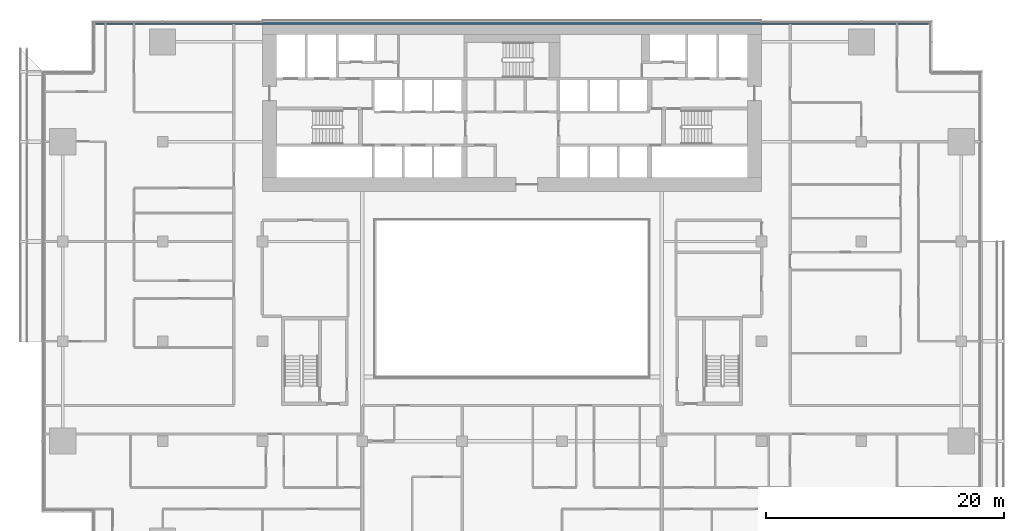
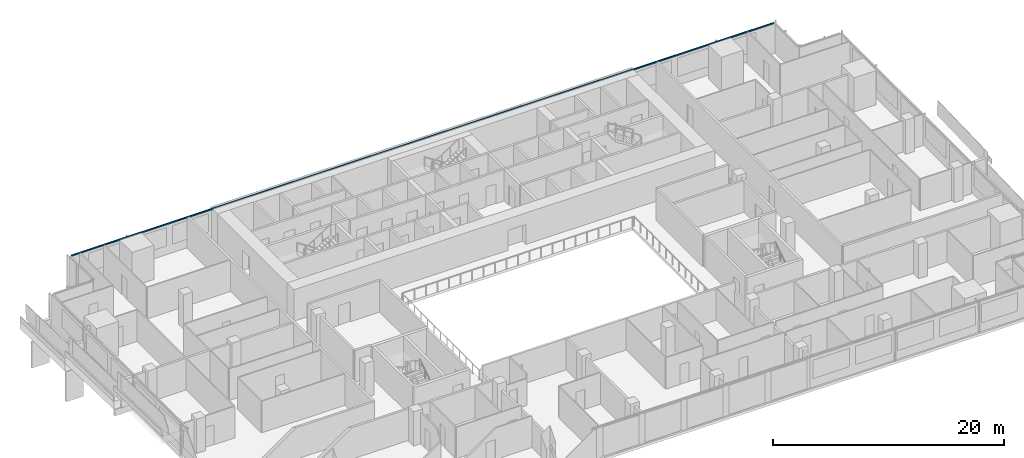
# One storey, part 8 of 25: 1 member, 1 element without a shape of its own.
"""IFC4 building model written with IfcOpenShell, lengths in metres."""

from ifc_helpers import new_model, si_unit, direction, frame, origin, origin_2d, place, context, subcontext, project, spatial, rectangle, extrude, material, material_profile, profile_set, type_object, element, aggregate, save


model = new_model("IFC4")

# Units and contexts
model_context = context("Model", 3, precision=1e-05, world=origin(), true_north=direction((0.0, 1.0)))
body_context = subcontext(model_context, "Body", "Model", "MODEL_VIEW")
ifc_project = project(units=[si_unit("LENGTHUNIT", "METRE"), si_unit("AREAUNIT", "SQUARE_METRE"), si_unit("VOLUMEUNIT", "CUBIC_METRE"), si_unit("PLANEANGLEUNIT", "RADIAN"), si_unit("MASSUNIT", "GRAM", prefix="KILO")], contexts=[model_context])

# Site, building, storey
site_placement = place(None, origin())
site = spatial("IfcSite", under=ifc_project, at=site_placement, CompositionType="ELEMENT")
building_placement = place(site_placement, origin())
building = spatial("IfcBuilding", under=site, at=building_placement, Name="Saffron Gate Tower", CompositionType="ELEMENT")
storey_placement = place(building_placement, frame((0.0, 0.0, 73.199951171875)))
storey = spatial("IfcBuildingStorey", under=building, at=storey_placement, Name="L17", CompositionType="ELEMENT", Elevation=73.199951171875)

# Curtain wall, member
ifc_material = material(Name="Aluminium, bronze anodised", Category="aluminium")
curtain_wall_type = type_object("IfcCurtainWallType", Name="CWS3 curtain wall rear facade", PredefinedType="NOTDEFINED", material=ifc_material)
curtain_wall_placement = place(storey_placement, origin())
curtain_wall = element("IfcCurtainWall", 1, at=curtain_wall_placement, inside=storey, type_object=curtain_wall_type, Name="CWS3 run 7", PredefinedType="NOTDEFINED")
ifc_material_profile = material_profile(ifc_material, rectangle(XDim=0.1201171875, YDim=0.1201171875, at=origin_2d()))
ifc_profile_set = profile_set([ifc_material_profile], Name="Aluminium, bronze anodised")
member_type = type_object("IfcMemberType", Name="CWS3 head transom", PredefinedType="USERDEFINED", material=ifc_profile_set)
member_placement = place(storey_placement, frame((122.632080078125, 75.35205078125, 3.260009765625), z_axis=(-1.0, 0.0, 0.0), x_axis=(0.0, -1.0, 0.0)))
member = element("IfcMember", 2, at=member_placement, type_object=member_type, Name="CWS3 head transom", ObjectType="TRANSOM", PredefinedType="USERDEFINED", context=body_context, shape_type="SweptSolid", body=[
    extrude(rectangle(XDim=0.1201171875, YDim=0.1201171875, at=origin_2d()), origin(), (0.0, 0.0, 1.0), 70.06396484375),
])
aggregate(curtain_wall, [member])

save(model, "model.ifc")
